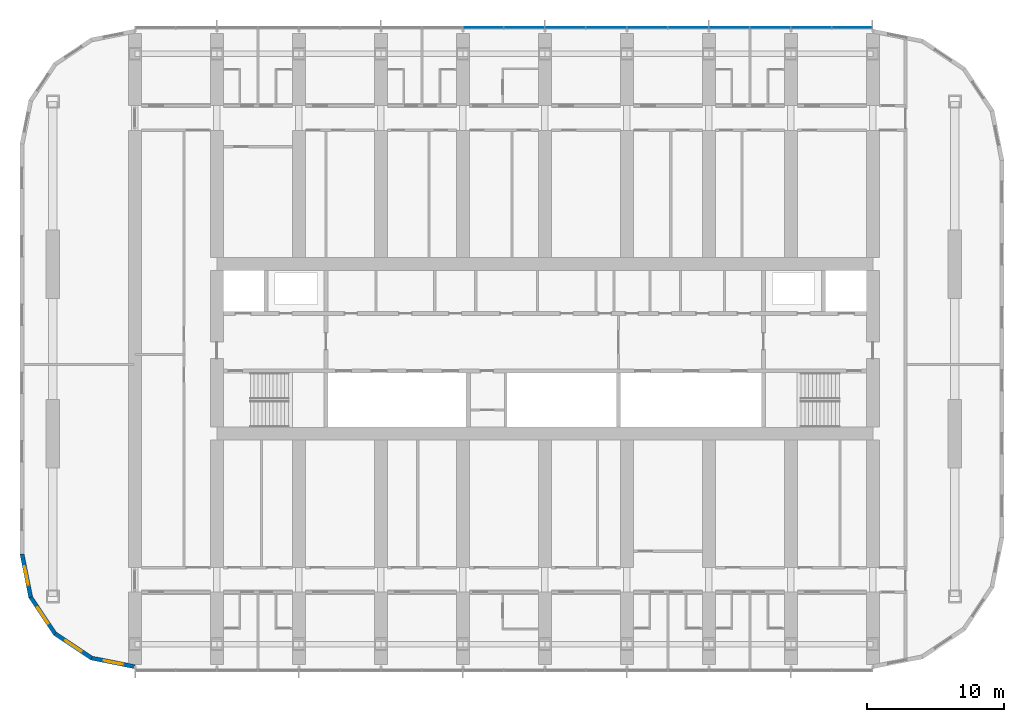
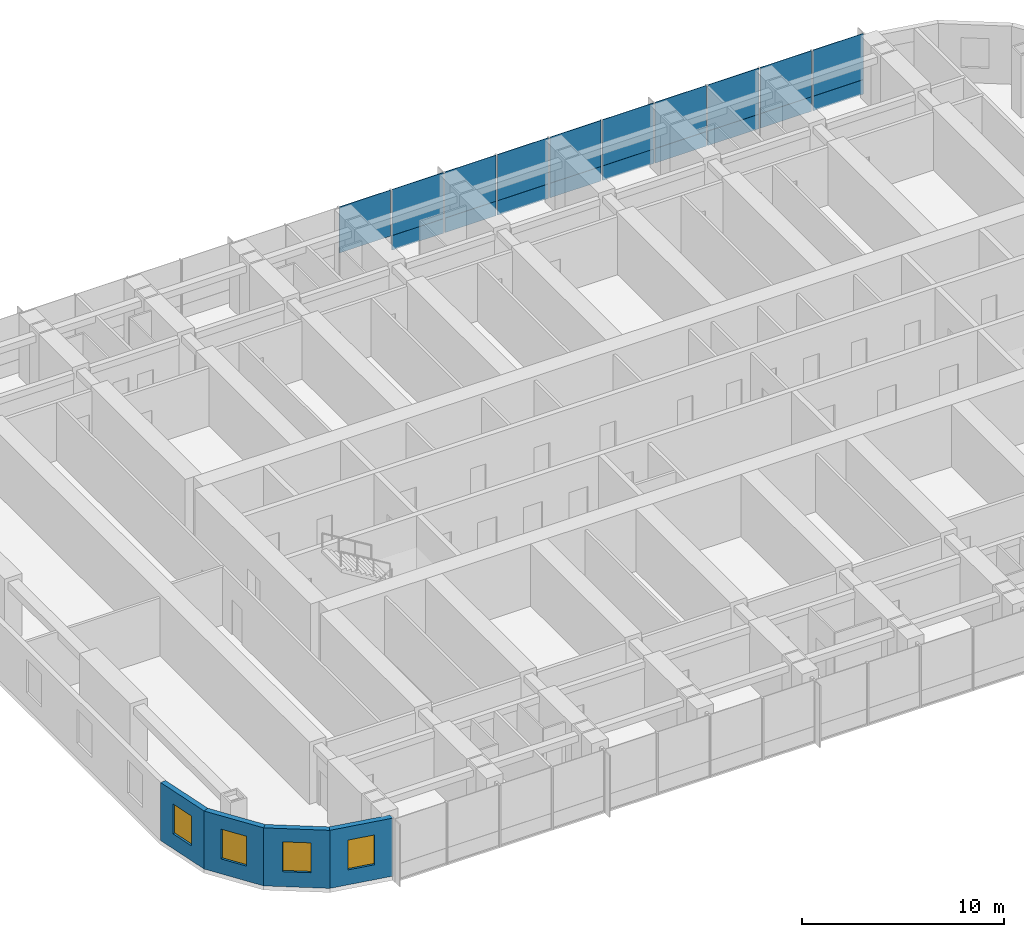
# One storey, part 7 of 21: 19 plates, 4 walls, 4 windows, 4 openings, 1 element without a shape of its own.
"""IFC4 building model written with IfcOpenShell, lengths in metres."""

from ifc_helpers import new_model, si_unit, direction, frame, frame_2d, origin, origin_2d, place, context, subcontext, project, spatial, polyline, rectangle, outline, extrude, material, layer, layer_set, type_object, element, fill, aggregate, save


model = new_model("IFC4")

# Units and contexts
model_context = context("Model", 3, precision=1e-05, world=origin(), true_north=direction((0.0, 1.0)))
body_context = subcontext(model_context, "Body", "Model", "MODEL_VIEW")
ifc_project = project(units=[si_unit("LENGTHUNIT", "METRE"), si_unit("AREAUNIT", "SQUARE_METRE"), si_unit("VOLUMEUNIT", "CUBIC_METRE"), si_unit("PLANEANGLEUNIT", "RADIAN"), si_unit("MASSUNIT", "GRAM", prefix="KILO")], contexts=[model_context])

# Site, building, storey
site_placement = place(None, origin())
site = spatial("IfcSite", under=ifc_project, at=site_placement, CompositionType="ELEMENT")
building_placement = place(site_placement, origin())
building = spatial("IfcBuilding", under=site, at=building_placement, Name="Orbita Commons", CompositionType="ELEMENT")
storey_placement = place(building_placement, frame((0.0, 0.0, 125.64990234375)))
storey = spatial("IfcBuildingStorey", under=building, at=storey_placement, Name="L31", CompositionType="ELEMENT", Elevation=125.64990234375)

# Curtain wall, plates
ifc_material_1 = material(Name="Anodised aluminium frame, pale silver", Category="aluminium")
curtain_wall_type = type_object("IfcCurtainWallType", Name="Unitised curtain wall CW-T, vision and spandrel", PredefinedType="NOTDEFINED", material=ifc_material_1)
curtain_wall_placement = place(storey_placement, origin())
curtain_wall = element("IfcCurtainWall", 1, at=curtain_wall_placement, inside=storey, type_object=curtain_wall_type, Name="Curtain wall north L31", PredefinedType="NOTDEFINED")
ifc_material_2 = material(Name="Anodised aluminium sheet on mineral wool", Category="aluminium")
ifc_layer_1 = layer(ifc_material_2, 0.050048828125)
ifc_layer_set_1 = layer_set([ifc_layer_1], Name="Anodised aluminium sheet on mineral wool")
plate_type_1 = type_object("IfcPlateType", Name="Spandrel panel, pale aluminium over insulation 50", PredefinedType="CURTAIN_PANEL", material=ifc_layer_set_1)
plate_1_placement = place(storey_placement, frame((64.47998046875, 55.510009765625, -0.14990234375), z_axis=(0.0, 0.0, 1.0), x_axis=(-1.0, 0.0, 0.0)))
plate_1 = element("IfcPlate", 2, at=plate_1_placement, type_object=plate_type_1, Name="Panel 1.1 CW-L31-N", PredefinedType="CURTAIN_PANEL", context=body_context, shape_type="SweptSolid", body=[
    extrude(rectangle(XDim=2.8798828125, YDim=0.050048828125, at=origin_2d()), origin(), (0.0, 0.0, 1.0), 0.875),
])
plate_2_placement = place(storey_placement, frame((61.5, 55.510009765625, -0.14990234375), z_axis=(0.0, 0.0, 1.0), x_axis=(-1.0, 0.0, 0.0)))
plate_2 = element("IfcPlate", 3, at=plate_2_placement, type_object=plate_type_1, Name="Panel 2.1 CW-L31-N", PredefinedType="CURTAIN_PANEL", context=body_context, shape_type="SweptSolid", body=[
    extrude(rectangle(XDim=2.919921875, YDim=0.050048828125, at=origin_2d()), origin(), (0.0, 0.0, 1.0), 0.875),
])
plate_3_placement = place(storey_placement, frame((58.5, 55.510009765625, -0.14990234375), z_axis=(0.0, 0.0, 1.0), x_axis=(-1.0, 0.0, 0.0)))
plate_3 = element("IfcPlate", 4, at=plate_3_placement, type_object=plate_type_1, Name="Panel 3.1 CW-L31-N", PredefinedType="CURTAIN_PANEL", context=body_context, shape_type="SweptSolid", body=[
    extrude(rectangle(XDim=2.919921875, YDim=0.050048828125, at=origin_2d()), origin(), (0.0, 0.0, 1.0), 0.875),
])
plate_4_placement = place(storey_placement, frame((55.5, 55.510009765625, -0.14990234375), z_axis=(0.0, 0.0, 1.0), x_axis=(-1.0, 0.0, 0.0)))
plate_4 = element("IfcPlate", 5, at=plate_4_placement, type_object=plate_type_1, Name="Panel 4.1 CW-L31-N", PredefinedType="CURTAIN_PANEL", context=body_context, shape_type="SweptSolid", body=[
    extrude(rectangle(XDim=2.919921875, YDim=0.050048828125, at=origin_2d()), origin(), (0.0, 0.0, 1.0), 0.875),
])
plate_5_placement = place(storey_placement, frame((52.5, 55.510009765625, -0.14990234375), z_axis=(0.0, 0.0, 1.0), x_axis=(-1.0, 0.0, 0.0)))
plate_5 = element("IfcPlate", 6, at=plate_5_placement, type_object=plate_type_1, Name="Panel 5.1 CW-L31-N", PredefinedType="CURTAIN_PANEL", context=body_context, shape_type="SweptSolid", body=[
    extrude(rectangle(XDim=2.919921875, YDim=0.050048828125, at=origin_2d()), origin(), (0.0, 0.0, 1.0), 0.875),
])
plate_6_placement = place(storey_placement, frame((49.5, 55.510009765625, -0.14990234375), z_axis=(0.0, 0.0, 1.0), x_axis=(-1.0, 0.0, 0.0)))
plate_6 = element("IfcPlate", 7, at=plate_6_placement, type_object=plate_type_1, Name="Panel 6.1 CW-L31-N", PredefinedType="CURTAIN_PANEL", context=body_context, shape_type="SweptSolid", body=[
    extrude(rectangle(XDim=2.919921875, YDim=0.050048828125, at=origin_2d()), origin(), (0.0, 0.0, 1.0), 0.875),
])
plate_7_placement = place(storey_placement, frame((46.5, 55.510009765625, -0.14990234375), z_axis=(0.0, 0.0, 1.0), x_axis=(-1.0, 0.0, 0.0)))
plate_7 = element("IfcPlate", 8, at=plate_7_placement, type_object=plate_type_1, Name="Panel 7.1 CW-L31-N", PredefinedType="CURTAIN_PANEL", context=body_context, shape_type="SweptSolid", body=[
    extrude(rectangle(XDim=2.919921875, YDim=0.050048828125, at=origin_2d()), origin(), (0.0, 0.0, 1.0), 0.875),
])
plate_8_placement = place(storey_placement, frame((43.5, 55.510009765625, -0.14990234375), z_axis=(0.0, 0.0, 1.0), x_axis=(-1.0, 0.0, 0.0)))
plate_8 = element("IfcPlate", 9, at=plate_8_placement, type_object=plate_type_1, Name="Panel 8.1 CW-L31-N", PredefinedType="CURTAIN_PANEL", context=body_context, shape_type="SweptSolid", body=[
    extrude(rectangle(XDim=2.919921875, YDim=0.050048828125, at=origin_2d()), origin(), (0.0, 0.0, 1.0), 0.875),
])
plate_9_placement = place(storey_placement, frame((40.5, 55.510009765625, -0.14990234375), z_axis=(0.0, 0.0, 1.0), x_axis=(-1.0, 0.0, 0.0)))
plate_9 = element("IfcPlate", 10, at=plate_9_placement, type_object=plate_type_1, Name="Panel 9.1 CW-L31-N", PredefinedType="CURTAIN_PANEL", context=body_context, shape_type="SweptSolid", body=[
    extrude(rectangle(XDim=2.919921875, YDim=0.050048828125, at=origin_2d()), origin(), (0.0, 0.0, 1.0), 0.875),
])
ifc_material_3 = material(Name="Clear double glazing", Category="glass")
ifc_layer_2 = layer(ifc_material_3, 0.031982421875)
ifc_layer_set_2 = layer_set([ifc_layer_2], Name="Clear double glazing")
plate_type_2 = type_object("IfcPlateType", Name="Vision panel, clear double glazing 32", PredefinedType="CURTAIN_PANEL", material=ifc_layer_set_2)
plate_10_placement = place(storey_placement, frame((64.47998046875, 55.510009765625, 0.72509765625), z_axis=(0.0, 0.0, 1.0), x_axis=(-1.0, 0.0, 0.0)))
plate_10 = element("IfcPlate", 11, at=plate_10_placement, type_object=plate_type_2, Name="Panel 1.2 CW-L31-N", PredefinedType="CURTAIN_PANEL", context=body_context, shape_type="SweptSolid", body=[
    extrude(rectangle(XDim=2.8798828125, YDim=0.031982421875, at=origin_2d()), origin(), (0.0, 0.0, 1.0), 2.77490234375),
])
plate_11_placement = place(storey_placement, frame((61.5, 55.510009765625, 0.72509765625), z_axis=(0.0, 0.0, 1.0), x_axis=(-1.0, 0.0, 0.0)))
plate_11 = element("IfcPlate", 12, at=plate_11_placement, type_object=plate_type_2, Name="Panel 2.2 CW-L31-N", PredefinedType="CURTAIN_PANEL", context=body_context, shape_type="SweptSolid", body=[
    extrude(rectangle(XDim=2.919921875, YDim=0.031982421875, at=origin_2d()), origin(), (0.0, 0.0, 1.0), 2.77490234375),
])
plate_12_placement = place(storey_placement, frame((58.5, 55.510009765625, 0.72509765625), z_axis=(0.0, 0.0, 1.0), x_axis=(-1.0, 0.0, 0.0)))
plate_12 = element("IfcPlate", 13, at=plate_12_placement, type_object=plate_type_2, Name="Panel 3.2 CW-L31-N", PredefinedType="CURTAIN_PANEL", context=body_context, shape_type="SweptSolid", body=[
    extrude(rectangle(XDim=2.919921875, YDim=0.031982421875, at=origin_2d()), origin(), (0.0, 0.0, 1.0), 2.77490234375),
])
plate_13_placement = place(storey_placement, frame((55.5, 55.510009765625, 0.72509765625), z_axis=(0.0, 0.0, 1.0), x_axis=(-1.0, 0.0, 0.0)))
plate_13 = element("IfcPlate", 14, at=plate_13_placement, type_object=plate_type_2, Name="Panel 4.2 CW-L31-N", PredefinedType="CURTAIN_PANEL", context=body_context, shape_type="SweptSolid", body=[
    extrude(rectangle(XDim=2.919921875, YDim=0.031982421875, at=origin_2d()), origin(), (0.0, 0.0, 1.0), 2.77490234375),
])
plate_14_placement = place(storey_placement, frame((52.5, 55.510009765625, 0.72509765625), z_axis=(0.0, 0.0, 1.0), x_axis=(-1.0, 0.0, 0.0)))
plate_14 = element("IfcPlate", 15, at=plate_14_placement, type_object=plate_type_2, Name="Panel 5.2 CW-L31-N", PredefinedType="CURTAIN_PANEL", context=body_context, shape_type="SweptSolid", body=[
    extrude(rectangle(XDim=2.919921875, YDim=0.031982421875, at=origin_2d()), origin(), (0.0, 0.0, 1.0), 2.77490234375),
])
plate_15_placement = place(storey_placement, frame((49.5, 55.510009765625, 0.72509765625), z_axis=(0.0, 0.0, 1.0), x_axis=(-1.0, 0.0, 0.0)))
plate_15 = element("IfcPlate", 16, at=plate_15_placement, type_object=plate_type_2, Name="Panel 6.2 CW-L31-N", PredefinedType="CURTAIN_PANEL", context=body_context, shape_type="SweptSolid", body=[
    extrude(rectangle(XDim=2.919921875, YDim=0.031982421875, at=origin_2d()), origin(), (0.0, 0.0, 1.0), 2.77490234375),
])
plate_16_placement = place(storey_placement, frame((46.5, 55.510009765625, 0.72509765625), z_axis=(0.0, 0.0, 1.0), x_axis=(-1.0, 0.0, 0.0)))
plate_16 = element("IfcPlate", 17, at=plate_16_placement, type_object=plate_type_2, Name="Panel 7.2 CW-L31-N", PredefinedType="CURTAIN_PANEL", context=body_context, shape_type="SweptSolid", body=[
    extrude(rectangle(XDim=2.919921875, YDim=0.031982421875, at=origin_2d()), origin(), (0.0, 0.0, 1.0), 2.77490234375),
])
plate_17_placement = place(storey_placement, frame((43.5, 55.510009765625, 0.72509765625), z_axis=(0.0, 0.0, 1.0), x_axis=(-1.0, 0.0, 0.0)))
plate_17 = element("IfcPlate", 18, at=plate_17_placement, type_object=plate_type_2, Name="Panel 8.2 CW-L31-N", PredefinedType="CURTAIN_PANEL", context=body_context, shape_type="SweptSolid", body=[
    extrude(rectangle(XDim=2.919921875, YDim=0.031982421875, at=origin_2d()), origin(), (0.0, 0.0, 1.0), 2.77490234375),
])
plate_18_placement = place(storey_placement, frame((40.5, 55.510009765625, 0.72509765625), z_axis=(0.0, 0.0, 1.0), x_axis=(-1.0, 0.0, 0.0)))
plate_18 = element("IfcPlate", 19, at=plate_18_placement, type_object=plate_type_2, Name="Panel 9.2 CW-L31-N", PredefinedType="CURTAIN_PANEL", context=body_context, shape_type="SweptSolid", body=[
    extrude(rectangle(XDim=2.919921875, YDim=0.031982421875, at=origin_2d()), origin(), (0.0, 0.0, 1.0), 2.77490234375),
])
plate_19_placement = place(storey_placement, frame((37.5, 55.510009765625, 0.72509765625), z_axis=(0.0, 0.0, 1.0), x_axis=(-1.0, 0.0, 0.0)))
plate_19 = element("IfcPlate", 20, at=plate_19_placement, type_object=plate_type_2, Name="Panel 10.2 CW-L31-N", PredefinedType="CURTAIN_PANEL", context=body_context, shape_type="SweptSolid", body=[
    extrude(rectangle(XDim=2.919921875, YDim=0.031982421875, at=origin_2d()), origin(), (0.0, 0.0, 1.0), 2.77490234375),
])
aggregate(curtain_wall, [plate_1, plate_10, plate_2, plate_11, plate_3, plate_12, plate_4, plate_13, plate_5, plate_14, plate_6, plate_15, plate_7, plate_16, plate_8, plate_17, plate_9, plate_18, plate_19])

# Wall, opening, window
ifc_material_4 = material(Name="Precast concrete C40/50, white board-marked finish", Category="concrete")
ifc_layer_3 = layer(ifc_material_4, 0.300048828125)
ifc_layer_set_3 = layer_set([ifc_layer_3], Name="Precast concrete C40/50, white board-marked finish")
wall_type = type_object("IfcWallType", Name="Precast concrete end shield 300", PredefinedType="SOLIDWALL", material=ifc_layer_set_3)
wall_1_placement = place(storey_placement, frame((3.75, 17.0, 0.0), z_axis=(0.0, 0.0, 1.0), x_axis=(0.195080412259, -0.980787251524, 0.0)))
wall_1 = element("IfcWall", 21, at=wall_1_placement, inside=storey, type_object=wall_type, Name="End shield SW chord 1 L31", PredefinedType="SOLIDWALL", context=body_context, shape_type="SweptSolid", body=[
    extrude(outline(polyline([(-0.014892578125, -0.14990234375), (3.24853515625, -0.14990234375), (3.18896484375, 0.14990234375), (0.014892578125, 0.14990234375), (-0.014892578125, -0.14990234375)])), origin(), (0.0, 0.0, 1.0), 3.5),
])
opening_1_placement = place(wall_1_placement, frame((0.909423828125, 0.0, 0.89990234375)))
opening_1 = element("IfcOpeningElement", 22, at=opening_1_placement, cuts=wall_1, Name="Opening W02", PredefinedType="OPENING", context=body_context, shape_type="SweptSolid", body=[
    extrude(rectangle(XDim=1.39990234375, YDim=1.800048828125, at=frame_2d((0.699951171875, 0.89990234375))), frame((0.0, 0.159912109375, 0.0), z_axis=(0.0, -1.0, 0.0), x_axis=(1.0, 0.0, 0.0)), (0.0, 0.0, 1.0), 0.320068359375),
])
ifc_material_5 = material(Name="Aluminium frame, clear double glazing", Category="aluminium")
window_type = type_object("IfcWindowType", Name="Deep-set window 1400x1800", PartitioningType="SINGLE_PANEL", PredefinedType="WINDOW", material=ifc_material_5)
window_1_placement = place(opening_1_placement, origin())
window_1 = element("IfcWindow", 23, at=window_1_placement, inside=storey, type_object=window_type, Name="Window L31-SW0", OverallHeight=1.800048828125, OverallWidth=1.39990234375, PartitioningType="SINGLE_PANEL", PredefinedType="WINDOW", context=body_context, shape_type="SweptSolid", body=[
    extrude(rectangle(XDim=1.39990234375, YDim=1.800048828125, at=frame_2d((0.699951171875, 0.89990234375))), frame((0.0, 0.030029296875, 0.0), z_axis=(0.0, -1.0, 0.0), x_axis=(1.0, 0.0, 0.0)), (0.0, 0.0, 1.0), 0.06005859375),
])
fill(opening_1, window_1)

wall_2_placement = place(storey_placement, frame((4.3779296875, 13.843017578125, 0.0), z_axis=(0.0, 0.0, 1.0), x_axis=(0.555609954424, -0.831443069936, 0.0)))
wall_2 = element("IfcWall", 24, at=wall_2_placement, inside=storey, type_object=wall_type, Name="End shield SW chord 2 L31", PredefinedType="SOLIDWALL", context=body_context, shape_type="SweptSolid", body=[
    extrude(outline(polyline([(-0.02978515625, -0.14990234375), (3.2490234375, -0.14990234375), (3.189453125, 0.14990234375), (0.02978515625, 0.14990234375), (-0.02978515625, -0.14990234375)])), origin(), (0.0, 0.0, 1.0), 3.5),
])
opening_2_placement = place(wall_2_placement, frame((0.909423828125, 0.0, 0.89990234375)))
opening_2 = element("IfcOpeningElement", 25, at=opening_2_placement, cuts=wall_2, Name="Opening W02", PredefinedType="OPENING", context=body_context, shape_type="SweptSolid", body=[
    extrude(rectangle(XDim=1.39990234375, YDim=1.800048828125, at=frame_2d((0.699951171875, 0.89990234375))), frame((0.0, 0.159912109375, 0.0), z_axis=(0.0, -1.0, 0.0), x_axis=(1.0, 0.0, 0.0)), (0.0, 0.0, 1.0), 0.320068359375),
])
window_2_placement = place(opening_2_placement, origin())
window_2 = element("IfcWindow", 26, at=window_2_placement, inside=storey, type_object=window_type, Name="Window L31-SW1", OverallHeight=1.800048828125, OverallWidth=1.39990234375, PartitioningType="SINGLE_PANEL", PredefinedType="WINDOW", context=body_context, shape_type="SweptSolid", body=[
    extrude(rectangle(XDim=1.39990234375, YDim=1.800048828125, at=frame_2d((0.699951171875, 0.89990234375))), frame((0.0, 0.030029296875, 0.0), z_axis=(0.0, -1.0, 0.0), x_axis=(1.0, 0.0, 0.0)), (0.0, 0.0, 1.0), 0.06005859375),
])
fill(opening_2, window_2)

wall_3_placement = place(storey_placement, frame((6.16650390625, 11.16650390625, 0.0), z_axis=(0.0, 0.0, 1.0), x_axis=(0.831443069936, -0.555609954424, 0.0)))
wall_3 = element("IfcWall", 27, at=wall_3_placement, inside=storey, type_object=wall_type, Name="End shield SW chord 3 L31", PredefinedType="SOLIDWALL", context=body_context, shape_type="SweptSolid", body=[
    extrude(outline(polyline([(-0.02978515625, -0.14990234375), (3.2490234375, -0.14990234375), (3.189453125, 0.14990234375), (0.02978515625, 0.14990234375), (-0.02978515625, -0.14990234375)])), origin(), (0.0, 0.0, 1.0), 3.5),
])
opening_3_placement = place(wall_3_placement, frame((0.909423828125, 0.0, 0.89990234375)))
opening_3 = element("IfcOpeningElement", 28, at=opening_3_placement, cuts=wall_3, Name="Opening W02", PredefinedType="OPENING", context=body_context, shape_type="SweptSolid", body=[
    extrude(rectangle(XDim=1.39990234375, YDim=1.800048828125, at=frame_2d((0.699951171875, 0.89990234375))), frame((0.0, 0.159912109375, 0.0), z_axis=(0.0, -1.0, 0.0), x_axis=(1.0, 0.0, 0.0)), (0.0, 0.0, 1.0), 0.320068359375),
])
window_3_placement = place(opening_3_placement, origin())
window_3 = element("IfcWindow", 29, at=window_3_placement, inside=storey, type_object=window_type, Name="Window L31-SW2", OverallHeight=1.800048828125, OverallWidth=1.39990234375, PartitioningType="SINGLE_PANEL", PredefinedType="WINDOW", context=body_context, shape_type="SweptSolid", body=[
    extrude(rectangle(XDim=1.39990234375, YDim=1.800048828125, at=frame_2d((0.699951171875, 0.89990234375))), frame((0.0, 0.030029296875, 0.0), z_axis=(0.0, -1.0, 0.0), x_axis=(1.0, 0.0, 0.0)), (0.0, 0.0, 1.0), 0.06005859375),
])
fill(opening_3, window_3)

wall_4_placement = place(storey_placement, frame((8.843017578125, 9.3779296875, 0.0), z_axis=(0.0, 0.0, 1.0), x_axis=(0.980787251524, -0.195080412259, 0.0)))
wall_4 = element("IfcWall", 30, at=wall_4_placement, inside=storey, type_object=wall_type, Name="End shield SW chord 4 L31", PredefinedType="SOLIDWALL", context=body_context, shape_type="SweptSolid", body=[
    extrude(outline(polyline([(-0.02978515625, -0.14990234375), (3.24853515625, -0.14990234375), (3.18896484375, 0.14990234375), (0.02978515625, 0.14990234375), (-0.02978515625, -0.14990234375)])), origin(), (0.0, 0.0, 1.0), 3.5),
])
opening_4_placement = place(wall_4_placement, frame((0.909423828125, 0.0, 0.89990234375)))
opening_4 = element("IfcOpeningElement", 31, at=opening_4_placement, cuts=wall_4, Name="Opening W02", PredefinedType="OPENING", context=body_context, shape_type="SweptSolid", body=[
    extrude(rectangle(XDim=1.39990234375, YDim=1.800048828125, at=frame_2d((0.699951171875, 0.89990234375))), frame((0.0, 0.159912109375, 0.0), z_axis=(0.0, -1.0, 0.0), x_axis=(1.0, 0.0, 0.0)), (0.0, 0.0, 1.0), 0.320068359375),
])
window_4_placement = place(opening_4_placement, origin())
window_4 = element("IfcWindow", 32, at=window_4_placement, inside=storey, type_object=window_type, Name="Window L31-SW3", OverallHeight=1.800048828125, OverallWidth=1.39990234375, PartitioningType="SINGLE_PANEL", PredefinedType="WINDOW", context=body_context, shape_type="SweptSolid", body=[
    extrude(rectangle(XDim=1.39990234375, YDim=1.800048828125, at=frame_2d((0.699951171875, 0.89990234375))), frame((0.0, 0.030029296875, 0.0), z_axis=(0.0, -1.0, 0.0), x_axis=(1.0, 0.0, 0.0)), (0.0, 0.0, 1.0), 0.06005859375),
])
fill(opening_4, window_4)

save(model, "model.ifc")
